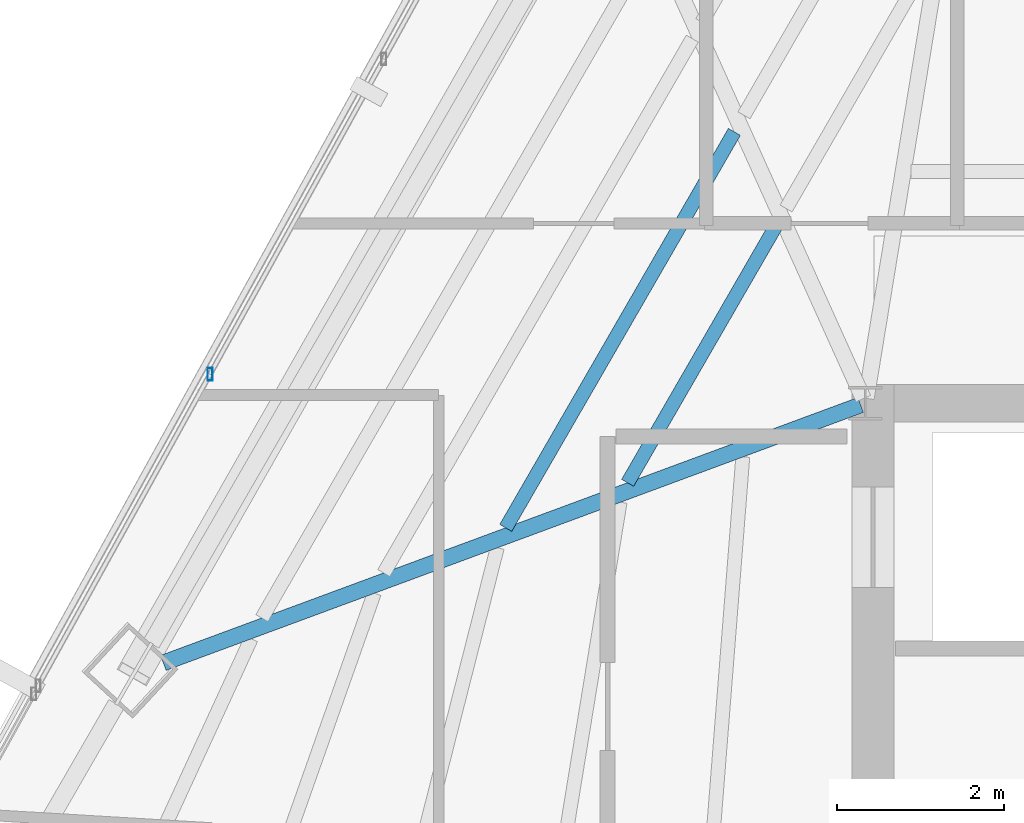
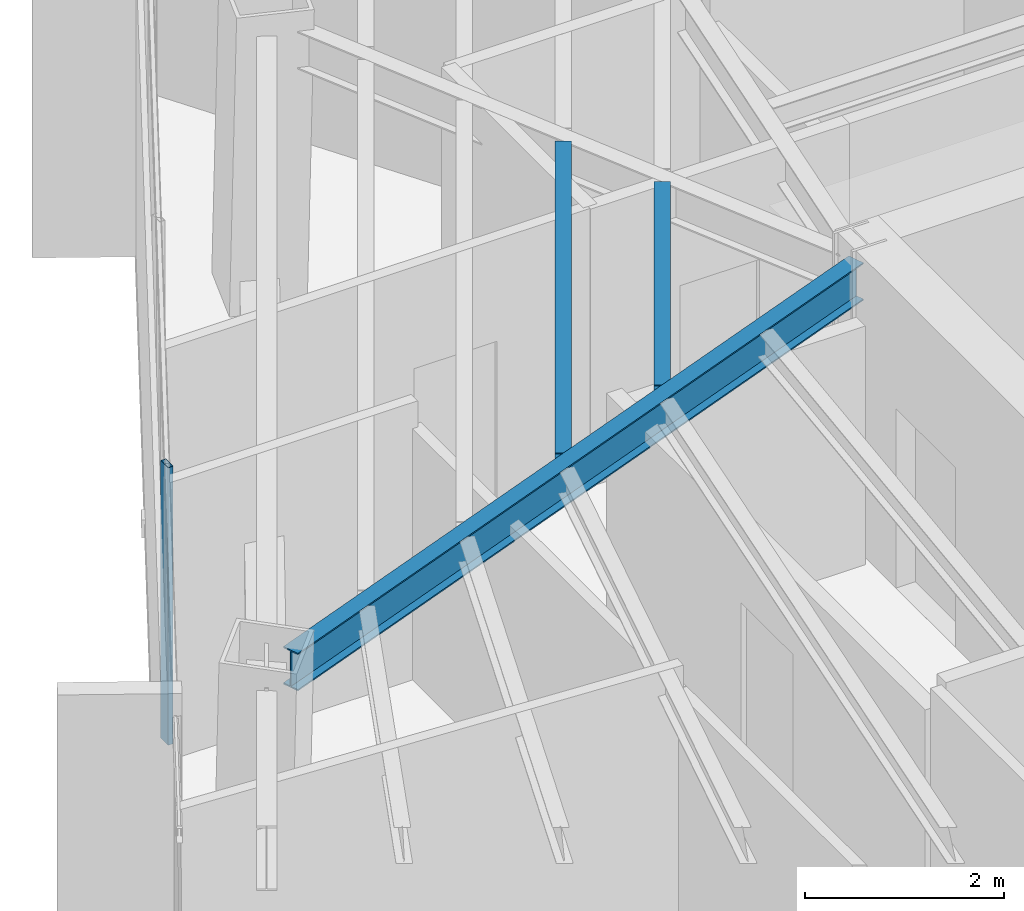
# One storey, part 14 of 40: 3 beams, 1 member, 1 element without a shape of its own.
"""IFC4 building model written with IfcOpenShell, lengths in metres."""

import ifcopenshell
import ifcopenshell.guid

model = None  # the IFC model being written
_history = None  # IfcOwnerHistory: only IFC2X3 demands one
_inside = {}  # id of a spatial element -> (the spatial element, [elements in it])
_under = {}  # id of a project, library or spatial element -> (it, [spatial elements below it])
_declared = {}  # id of a project -> (the project, [libraries it declares])
_typed = {}  # id of a type object -> (the type object, [elements of that type])
_made_of = {}  # id of a material, layer set ... -> (it, [elements and type objects made of it])


def new_model(schema):
    """Start an empty IFC model of exactly this schema.

    Asked for "IFC4X3", IfcOpenShell would pick the latest addendum, in which some entities
    have other attributes; the version numbers below select the first issue.
    IFC2X3 requires an IfcOwnerHistory on every rooted entity: one is made here for all.
    """
    global model, _history
    if schema == "IFC4X3":
        model = ifcopenshell.file(schema_version=(4, 3, 0, 0))
    else:
        model = ifcopenshell.file(schema=schema)
    _inside.clear()
    _under.clear()
    _declared.clear()
    _typed.clear()
    _made_of.clear()
    _history = None
    if model.schema == "IFC2X3":
        org = make("IfcOrganization", Name="unknown")
        user = make(
            "IfcPersonAndOrganization",
            ThePerson=make("IfcPerson", FamilyName="unknown"),
            TheOrganization=org,
        )
        app = make(
            "IfcApplication",
            ApplicationDeveloper=org,
            Version="unknown",
            ApplicationFullName="unknown",
            ApplicationIdentifier="unknown",
        )
        _history = make(
            "IfcOwnerHistory",
            OwningUser=user,
            OwningApplication=app,
            ChangeAction="ADDED",
            CreationDate=0,
        )
    return model


def make(cls, **values):
    """One entity of the class cls with the attributes given. An attribute that is None is left unset."""
    return model.create_entity(
        cls, **{name: value for name, value in values.items() if value is not None}
    )


def rooted(cls, **values):
    """An entity with a GlobalId (a new one), such as an element, a storey or a relation."""
    return make(cls, GlobalId=ifcopenshell.guid.new(), OwnerHistory=_history, **values)


def si_unit(unit_type, name, prefix=None):
    """IfcSIUnit, for example si_unit("LENGTHUNIT", "METRE", prefix="MILLI")."""
    return make("IfcSIUnit", UnitType=unit_type, Prefix=prefix, Name=name)


def assignment(units):
    """IfcUnitAssignment: the units of a project."""
    return None if units is None else make("IfcUnitAssignment", Units=units)


def point(xyz):
    """IfcCartesianPoint."""
    return None if xyz is None else make("IfcCartesianPoint", Coordinates=xyz)


def direction(xyz):
    """IfcDirection."""
    return None if xyz is None else make("IfcDirection", DirectionRatios=xyz)


def frame(location, z_axis=None, x_axis=None):
    """IfcAxis2Placement3D, a coordinate frame: its origin and axes. An axis left out is left unset."""
    return make(
        "IfcAxis2Placement3D",
        Location=point(location),
        Axis=direction(z_axis),
        RefDirection=direction(x_axis),
    )


def frame_2d(location, x_axis=None):
    """IfcAxis2Placement2D, a coordinate frame in the plane: its origin and x axis."""
    return make(
        "IfcAxis2Placement2D", Location=point(location), RefDirection=direction(x_axis)
    )


def origin():
    """The frame at (0, 0, 0) with its axes left unset."""
    return frame((0.0, 0.0, 0.0))


def origin_2d():
    """The frame at (0, 0) in the plane with its x axis left unset."""
    return frame_2d((0.0, 0.0))


def place(relative_to, where):
    """IfcLocalPlacement: puts the frame where relative to a parent placement (None: the world)."""
    return make(
        "IfcLocalPlacement", PlacementRelTo=relative_to, RelativePlacement=where
    )


def context(
    kind, dimensions, precision=None, world=None, true_north=None, identifier=None
):
    """IfcGeometricRepresentationContext, for example the 3D "Model" context."""
    return make(
        "IfcGeometricRepresentationContext",
        ContextIdentifier=identifier,
        ContextType=kind,
        CoordinateSpaceDimension=dimensions,
        Precision=precision,
        WorldCoordinateSystem=world,
        TrueNorth=true_north,
    )


def subcontext(parent, identifier, kind, view, scale=None):
    """IfcGeometricRepresentationSubContext, for example "Body" below "Model"."""
    return make(
        "IfcGeometricRepresentationSubContext",
        ContextIdentifier=identifier,
        ContextType=kind,
        ParentContext=parent,
        TargetScale=scale,
        TargetView=view,
    )


def project(units=None, contexts=None):
    """IfcProject with its units and contexts."""
    return rooted(
        "IfcProject",
        Name="project",
        RepresentationContexts=contexts,
        UnitsInContext=assignment(units),
    )


def spatial(cls, under=None, at=None, **own):
    """A site, building, storey or space (cls), placed at a placement, below another one or the project."""
    s = rooted(cls, ObjectPlacement=at, **own)
    if under is not None:
        _under.setdefault(under.id(), (under, []))[1].append(s)
    return s


def profile(cls, at=None, kind="AREA", **sizes):
    """A parametric profile (cls). Its sizes go by their IFC names, for example OverallWidth=200.0."""
    return make(cls, ProfileType=kind, Position=at, **sizes)


def hollow_rectangle(**sizes):
    """IfcRectangleHollowProfileDef."""
    return profile("IfcRectangleHollowProfileDef", **sizes)


def i_section(**sizes):
    """IfcIShapeProfileDef."""
    return profile("IfcIShapeProfileDef", **sizes)


def extrude(swept, where, along, depth):
    """IfcExtrudedAreaSolid: the profile swept, set in the frame where, extruded along a direction by depth."""
    return make(
        "IfcExtrudedAreaSolid",
        SweptArea=swept,
        Position=where,
        ExtrudedDirection=direction(along),
        Depth=depth,
    )


def shape(context_of_items, identifier, shape_type, items):
    """IfcShapeRepresentation: the items that make up one representation, for example the "Body"."""
    return make(
        "IfcShapeRepresentation",
        ContextOfItems=context_of_items,
        RepresentationIdentifier=identifier,
        RepresentationType=shape_type,
        Items=items,
    )


def source(mapping_origin, context_of_items, identifier, shape_type, items):
    """IfcRepresentationMap: a shape defined once, which mapped items show again and again."""
    return make(
        "IfcRepresentationMap",
        MappingOrigin=mapping_origin,
        MappedRepresentation=shape(context_of_items, identifier, shape_type, items),
    )


def transform(
    local_origin,
    x_axis=None,
    y_axis=None,
    z_axis=None,
    scale=None,
    scale2=None,
    scale3=None,
    uniform=True,
):
    """IfcCartesianTransformationOperator3D, or its non-uniform kind. x_axis, y_axis, z_axis: its Axis1, 2, 3."""
    if uniform:
        return make(
            "IfcCartesianTransformationOperator3D",
            Axis1=direction(x_axis),
            Axis2=direction(y_axis),
            LocalOrigin=point(local_origin),
            Scale=scale,
            Axis3=direction(z_axis),
        )
    return make(
        "IfcCartesianTransformationOperator3DnonUniform",
        Axis1=direction(x_axis),
        Axis2=direction(y_axis),
        LocalOrigin=point(local_origin),
        Scale=scale,
        Axis3=direction(z_axis),
        Scale2=scale2,
        Scale3=scale3,
    )


def mapped(mapping_source, mapping_target):
    """IfcMappedItem: shows the shape of a source again, moved by a transform."""
    return make(
        "IfcMappedItem", MappingSource=mapping_source, MappingTarget=mapping_target
    )


def material(Name=None, Category=None):
    """IfcMaterial."""
    return make("IfcMaterial", Name=Name, Category=Category)


def material_profile(
    of_material, cross_section, Name=None, Category=None, Priority=None
):
    """IfcMaterialProfile: a cross section and its material."""
    return make(
        "IfcMaterialProfile",
        Name=Name,
        Material=of_material,
        Profile=cross_section,
        Priority=Priority,
        Category=Category,
    )


def profile_set(profiles, Name=None, composite=None):
    """IfcMaterialProfileSet."""
    return make(
        "IfcMaterialProfileSet",
        Name=Name,
        MaterialProfiles=profiles,
        CompositeProfile=composite,
    )


def made_of(thing, what):
    """Note that an element or type object is made of a material, layer set ...; save() writes the relation."""
    if what is not None:
        _made_of.setdefault(what.id(), (what, []))[1].append(thing)
    return thing


def type_object(cls, material=None, **own):
    """A type object (cls), such as IfcWallType, which elements share."""
    return made_of(rooted(cls, **own), material)


def type_shapes(of_type, sources):
    """Give a type object the sources (RepresentationMaps) that its elements show as mapped items."""
    of_type.RepresentationMaps = sources


def element(
    cls,
    number,
    at=None,
    inside=None,
    cuts=None,
    type_object=None,
    material=None,
    context=None,
    identifier="Body",
    shape_type=None,
    held_by="IfcProductDefinitionShape",
    body=None,
    shapes=None,
    **own,
):
    """One element of the class cls, such as IfcWall. Its Tag is "e" and its number.

    at: its placement. inside: the storey or other place that contains it. cuts: it is an
    opening in that element (IfcRelVoidsElement). A single representation is given by context,
    identifier, shape_type and body (its items); several are given by shapes. held_by: the class
    of the entity that holds the representations. save() writes the other relations.
    """
    e = rooted(cls, Tag="e%d" % number, ObjectPlacement=at, **own)
    if body is not None:
        shapes = [shape(context, identifier, shape_type, body)]
    if shapes is not None:
        e.Representation = make(held_by, Representations=shapes)
    if inside is not None:
        _inside.setdefault(inside.id(), (inside, []))[1].append(e)
    if cuts is not None:
        rooted(
            "IfcRelVoidsElement", RelatingBuildingElement=cuts, RelatedOpeningElement=e
        )
    if type_object is not None:
        _typed.setdefault(type_object.id(), (type_object, []))[1].append(e)
    return made_of(e, material)


def aggregate(whole, parts):
    """IfcRelAggregates: a whole, such as a stair, and the parts it consists of."""
    return rooted("IfcRelAggregates", RelatingObject=whole, RelatedObjects=parts)


def save(model, path):
    """Write the relations noted so far, then the file.

    IfcRelAggregates (storeys below a building ...), IfcRelContainedInSpatialStructure (elements
    in a storey), IfcRelDefinesByType, IfcRelAssociatesMaterial and IfcRelDeclares: one each for
    every whole, place, type object, material and project.
    """
    for whole, parts in _under.values():
        aggregate(whole, parts)
    for where, things in _inside.values():
        rooted(
            "IfcRelContainedInSpatialStructure",
            RelatedElements=things,
            RelatingStructure=where,
        )
    for kind, things in _typed.values():
        rooted("IfcRelDefinesByType", RelatedObjects=things, RelatingType=kind)
    for what, things in _made_of.values():
        rooted("IfcRelAssociatesMaterial", RelatedObjects=things, RelatingMaterial=what)
    for by, libraries in _declared.values():
        rooted("IfcRelDeclares", RelatingContext=by, RelatedDefinitions=libraries)
    model.write(path)


model = new_model("IFC4")

# Units and contexts
model_context = context("Model", 3, precision=1e-05, world=origin(), true_north=direction((0.0, 1.0)))
body_context = subcontext(model_context, "Body", "Model", "MODEL_VIEW")
ifc_project = project(units=[si_unit("LENGTHUNIT", "METRE"), si_unit("AREAUNIT", "SQUARE_METRE"), si_unit("VOLUMEUNIT", "CUBIC_METRE"), si_unit("PLANEANGLEUNIT", "RADIAN"), si_unit("MASSUNIT", "GRAM", prefix="KILO")], contexts=[model_context])

# Site, building, storey
site_placement = place(None, origin())
site = spatial("IfcSite", under=ifc_project, at=site_placement, CompositionType="ELEMENT")
building_placement = place(site_placement, origin())
building = spatial("IfcBuilding", under=site, at=building_placement, Name="Caelisora Broadcast Tower", CompositionType="ELEMENT")
storey_placement = place(building_placement, frame((0.0, 0.0, 213.25)))
storey = spatial("IfcBuildingStorey", under=building, at=storey_placement, Name="L56", CompositionType="ELEMENT", Elevation=213.25)

# Beams
ifc_material_1 = material(Name="Steel Grade 350 (AS/NZS 3679.1)", Category="steel")
ifc_material_profile_1 = material_profile(ifc_material_1, i_section(OverallWidth=0.19091796875, OverallDepth=0.46044921875, WebThickness=0.010009765625, FlangeThickness=0.01611328125, at=origin_2d()), Name="Steel Grade 350 (AS/NZS 3679.1)")
ifc_profile_set_1 = profile_set([ifc_material_profile_1], Name="Steel Grade 350 (AS/NZS 3679.1)")
beam_type_1 = type_object("IfcBeamType", Name="PG06", PredefinedType="BEAM", material=ifc_profile_set_1)
shared_shape_1 = source(origin(), body_context, "Body", "SweptSolid", [
    extrude(i_section(OverallWidth=0.19091796875, OverallDepth=0.46044921875, WebThickness=0.010009765625, FlangeThickness=0.01611328125, at=origin_2d()), origin(), (0.0, 0.0, 1.0), 8.88720703125),
])
type_shapes(beam_type_1, [shared_shape_1])
beam_1_placement = place(storey_placement, frame((30.443603515625, 29.979248046875, 3.169921875), z_axis=(-0.937881241621, -0.346956447722, 0.0), x_axis=(0.346956447722, -0.937881241621, 0.0)))
element("IfcBeam", 1, at=beam_1_placement, inside=storey, type_object=beam_type_1, Name="L56 beam PG06", PredefinedType="BEAM", context=body_context, shape_type="MappedRepresentation", body=[
    mapped(shared_shape_1, transform((0.0, 0.0, 0.0), scale=1.0)),
])
ifc_material_profile_2 = material_profile(ifc_material_1, i_section(OverallWidth=0.166015625, OverallDepth=0.30712890625, WebThickness=0.006591796875, FlangeThickness=0.01171875, at=origin_2d()), Name="Steel Grade 350 (AS/NZS 3679.1)")
ifc_profile_set_2 = profile_set([ifc_material_profile_2], Name="Steel Grade 350 (AS/NZS 3679.1)")
beam_type_2 = type_object("IfcBeamType", Name="SB03", PredefinedType="JOIST", material=ifc_profile_set_2)
shared_shape_2 = source(origin(), body_context, "Body", "SweptSolid", [
    extrude(i_section(OverallWidth=0.166015625, OverallDepth=0.30712890625, WebThickness=0.006591796875, FlangeThickness=0.01171875, at=origin_2d()), origin(), (0.0, 0.0, 1.0), 3.55712890625),
])
beam_2_placement = place(storey_placement, frame((29.43701171875, 32.129150390625, 3.246337890625), z_axis=(-0.499999706762, -0.866025573085, 0.0), x_axis=(0.866025573085, -0.499999706762, 0.0)))
element("IfcBeam", 2, at=beam_2_placement, inside=storey, type_object=beam_type_2, Name="L56 beam SB03", PredefinedType="JOIST", context=body_context, shape_type="MappedRepresentation", body=[
    mapped(shared_shape_2, transform((0.0, 0.0, 0.0), scale=1.0)),
])
shared_shape_3 = source(origin(), body_context, "Body", "SweptSolid", [
    extrude(i_section(OverallWidth=0.166015625, OverallDepth=0.30712890625, WebThickness=0.006591796875, FlangeThickness=0.01171875, at=origin_2d()), origin(), (0.0, 0.0, 1.0), 5.46630859375),
])
type_shapes(beam_type_2, [shared_shape_2, shared_shape_3])
beam_3_placement = place(storey_placement, frame((28.934326171875, 33.243408203125, 3.246337890625), z_axis=(-0.500005971936, -0.866021955858, 0.0), x_axis=(0.866021955858, -0.500005971936, 0.0)))
element("IfcBeam", 3, at=beam_3_placement, inside=storey, type_object=beam_type_2, Name="L56 beam SB03", PredefinedType="JOIST", context=body_context, shape_type="MappedRepresentation", body=[
    mapped(shared_shape_3, transform((0.0, 0.0, 0.0), scale=1.0)),
])

# Curtain wall, member
ifc_material_2 = material(Name="Unitised Aluminium Insulated Shadow-Box Spandrel Curtain Wall", Category="aluminium")
curtain_wall_type = type_object("IfcCurtainWallType", Name="CW-SP2", PredefinedType="NOTDEFINED", material=ifc_material_2)
curtain_wall_placement = place(storey_placement, origin())
curtain_wall = element("IfcCurtainWall", 4, at=curtain_wall_placement, inside=storey, type_object=curtain_wall_type, Name="L56 curtain wall CW-SP2", PredefinedType="NOTDEFINED")
ifc_material_3 = material(Name="Aluminium 6063-T6 Anodised Terracotta Bronze", Category="aluminium")
ifc_material_profile_3 = material_profile(ifc_material_3, hollow_rectangle(XDim=0.06005859375, YDim=0.14990234375, WallThickness=0.00341796875, at=origin_2d()), Name="Aluminium 6063-T6 Anodised Terracotta Bronze")
ifc_profile_set_3 = profile_set([ifc_material_profile_3], Name="Aluminium 6063-T6 Anodised Terracotta Bronze")
member_type = type_object("IfcMemberType", Name="CWM-03", PredefinedType="MULLION", material=ifc_profile_set_3)
shared_shape_4 = source(origin(), body_context, "Body", "SweptSolid", [
    extrude(hollow_rectangle(XDim=0.06005859375, YDim=0.14990234375, WallThickness=0.00341796875, at=origin_2d()), origin(), (0.0, 0.0, 1.0), 3.39990234375),
])
type_shapes(member_type, [shared_shape_4])
member_placement = place(storey_placement, frame((22.6669921875, 30.346435546875, 0.0), z_axis=(0.0, 0.0, 1.0), x_axis=(1.0, 0.0, 0.0)))
member = element("IfcMember", 5, at=member_placement, type_object=member_type, Name="L56-CW-B10 mullion #1", PredefinedType="MULLION", context=body_context, shape_type="MappedRepresentation", body=[
    mapped(shared_shape_4, transform((0.0, 0.0, 0.0), scale=1.0)),
])
aggregate(curtain_wall, [member])

save(model, "model.ifc")
